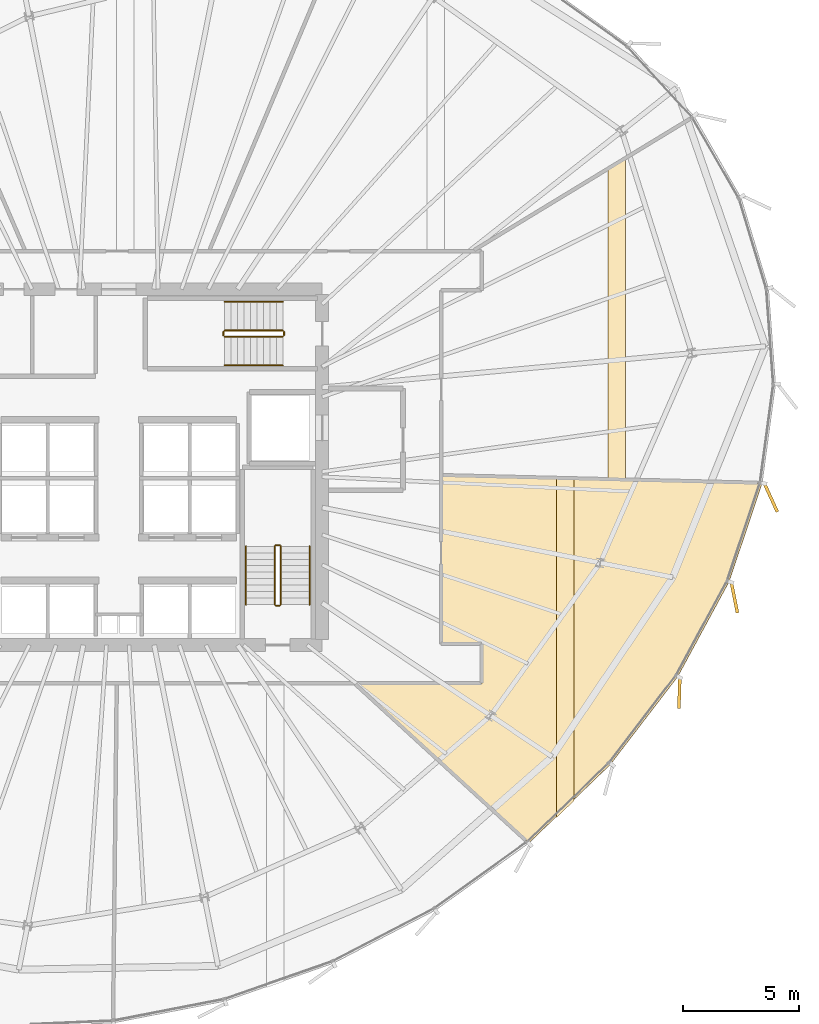
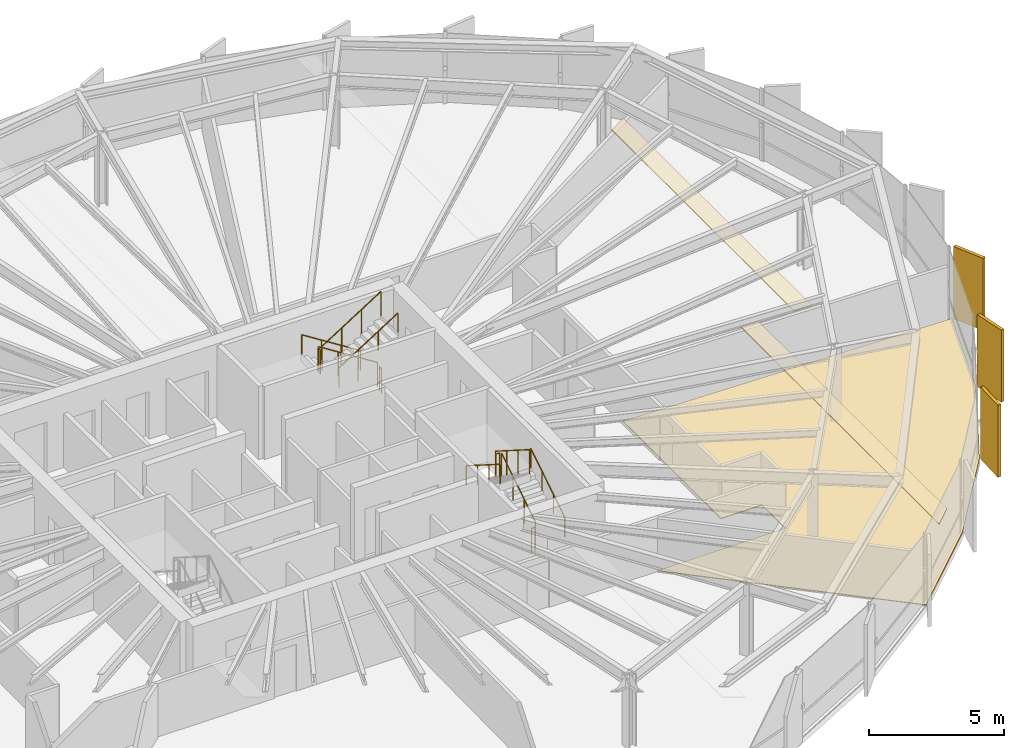
# One storey, part 33 of 34: 12 railings, 6 coverings.
"""IFC4 building model written with IfcOpenShell, lengths in metres."""

from ifc_helpers import new_model, si_unit, direction, frame, origin, origin_2d, place, context, subcontext, project, spatial, polyline, rectangle, circle, outline, extrude, source, transform, mapped, material, layer, layer_set, type_object, element, save


model = new_model("IFC4")

# Units and contexts
model_context = context("Model", 3, precision=1e-05, world=origin(), true_north=direction((0.0, 1.0)))
body_context = subcontext(model_context, "Body", "Model", "MODEL_VIEW")
ifc_project = project(units=[si_unit("LENGTHUNIT", "METRE"), si_unit("AREAUNIT", "SQUARE_METRE"), si_unit("VOLUMEUNIT", "CUBIC_METRE"), si_unit("PLANEANGLEUNIT", "RADIAN"), si_unit("MASSUNIT", "GRAM", prefix="KILO"), si_unit("THERMODYNAMICTEMPERATUREUNIT", "KELVIN")], contexts=[model_context])

# Site, building, storey
site_placement = place(None, origin())
site = spatial("IfcSite", under=ifc_project, at=site_placement, CompositionType="ELEMENT")
building_placement = place(site_placement, origin())
building = spatial("IfcBuilding", under=site, at=building_placement, Name="Kethvar Cultural Tower", CompositionType="ELEMENT")
storey_placement = place(building_placement, frame((0.0, 0.0, 128.800048828125)))
storey = spatial("IfcBuildingStorey", under=building, at=storey_placement, Name="L32", CompositionType="ELEMENT", Elevation=128.800048828125)

# Coverings
ifc_material_1 = material(Name="Acoustic Mineral Fibre Ceiling")
ifc_layer_1 = layer(ifc_material_1, 0.0400390625, Name="Acoustic Mineral Fibre Ceiling")
ifc_layer_set_1 = layer_set([ifc_layer_1], Name="Acoustic Mineral Fibre Ceiling (40 mm)")
covering_type_1 = type_object("IfcCoveringType", Name="CV-ACOUSTIC-CEIL", PredefinedType="CEILING", material=ifc_layer_set_1)
covering_1_placement = place(storey_placement, frame((0.0, 0.0, 2.56005859375)))
element("IfcCovering", 1, at=covering_1_placement, inside=storey, type_object=covering_type_1, Name="L32 Room 03 Acoustic Ceiling Panel", PredefinedType="CEILING", context=body_context, shape_type="SweptSolid", body=[
    extrude(outline(polyline([(65.755859375, 12.64013671875), (65.755859375, 27.344482421875), (66.505859375, 27.32568359375), (66.505859375, 13.363525390625), (65.755859375, 12.64013671875)])), origin(), (0.0, 0.0, 1.0), 0.039794921875),
])
covering_2_placement = place(storey_placement, frame((0.0, 0.0, 2.56005859375)))
element("IfcCovering", 2, at=covering_2_placement, inside=storey, type_object=covering_type_1, Name="L32 Room 04 Acoustic Ceiling Panel", PredefinedType="CEILING", context=body_context, shape_type="SweptSolid", body=[
    extrude(outline(polyline([(67.98193359375, 27.24853515625), (67.98193359375, 40.75732421875), (68.73193359375, 41.21533203125), (68.73193359375, 27.229736328125), (67.98193359375, 27.24853515625)])), origin(), (0.0, 0.0, 1.0), 0.039794921875),
])
ifc_material_2 = material(Name="Honed Warm Limestone", Category="masonry")
ifc_layer_2 = layer(ifc_material_2, 0.030029296875, Name="Honed Warm Limestone", Category="masonry")
ifc_layer_set_2 = layer_set([ifc_layer_2], Name="Honed Warm Limestone (30 mm)")
covering_type_2 = type_object("IfcCoveringType", Name="CV-STONE-FLOOR", PredefinedType="FLOORING", material=ifc_layer_set_2)
covering_3_placement = place(storey_placement, origin())
element("IfcCovering", 3, at=covering_3_placement, inside=storey, type_object=covering_type_2, Name="L32 Room 03 Floor Finish", PredefinedType="FLOORING", context=body_context, shape_type="SweptSolid", body=[
    extrude(outline(polyline([(73.216064453125, 22.847900390625), (70.9990234375, 18.746337890625), (68.07421875, 14.931396484375), (64.553466796875, 11.5361328125), (57.040771484375, 18.429931640625), (62.5185546875, 18.4423828125), (62.51416015625, 20.1640625), (60.77001953125, 20.169921875), (60.77001953125, 27.429443359375), (74.63525390625, 27.081787109375), (73.216064453125, 22.847900390625)])), origin(), (0.0, 0.0, 1.0), 0.030029296875),
])

# Railings
ifc_material_3 = material(Name="Steel S355J2", Category="steel")
railing_type_1 = type_object("IfcRailingType", Name="RL-STAIR-GUARD", PredefinedType="BALUSTRADE", material=ifc_material_3)
railing_1_placement = place(storey_placement, frame((53.81005859375, 21.85009765625, 0.177490234375)))
element("IfcRailing", 4, at=railing_1_placement, inside=storey, type_object=railing_type_1, Name="L32 ST-02 stair guard 1", PredefinedType="BALUSTRADE", context=body_context, shape_type="SweptSolid", body=[
    extrude(circle(Radius=0.02392578125, at=origin_2d()), frame((0.0, 0.0, 1.09619140625), z_axis=(0.0, 0.84460694969, 0.535386869969), x_axis=(-1.0, 0.0, 0.0)), (0.0, 0.0, 1.0), 2.983642578125),
    extrude(circle(Radius=0.02099609375, at=origin_2d()), origin(), (0.0, 0.0, 1.0), 1.072021484375),
    extrude(circle(Radius=0.02099609375, at=origin_2d()), frame((0.0, 0.840087890625, 0.532470703125)), (0.0, 0.0, 1.0), 1.072021484375),
    extrude(circle(Radius=0.02099609375, at=origin_2d()), frame((0.0, 1.679931640625, 1.06494140625)), (0.0, 0.0, 1.0), 1.072021484375),
    extrude(circle(Radius=0.02099609375, at=origin_2d()), frame((0.0, 2.52001953125, 1.597412109375)), (0.0, 0.0, 1.0), 1.072021484375),
])
railing_2_placement = place(storey_placement, frame((53.760009765625, 24.419921875, 1.77490234375)))
element("IfcRailing", 5, at=railing_2_placement, inside=storey, type_object=railing_type_1, Name="L32 ST-02 stair guard 2", PredefinedType="BALUSTRADE", context=body_context, shape_type="SweptSolid", body=[
    extrude(circle(Radius=0.02392578125, at=origin_2d()), frame((0.0, 0.0, 1.09619140625), z_axis=(-1.0, 0.0, 0.0), x_axis=(0.0, -1.0, 0.0)), (0.0, 0.0, 1.0), 0.159912109375),
    extrude(circle(Radius=0.02099609375, at=origin_2d()), origin(), (0.0, 0.0, 1.0), 1.072021484375),
    extrude(circle(Radius=0.02099609375, at=origin_2d()), frame((-0.159912109375, 0.0, 0.0)), (0.0, 0.0, 1.0), 1.072021484375),
])
railing_3_placement = place(storey_placement, frame((53.550048828125, 24.3701171875, 1.952392578125)))
element("IfcRailing", 6, at=railing_3_placement, inside=storey, type_object=railing_type_1, Name="L32 ST-02 stair guard 3", PredefinedType="BALUSTRADE", context=body_context, shape_type="SweptSolid", body=[
    extrude(circle(Radius=0.02392578125, at=origin_2d()), frame((0.0, 0.0, 1.09619140625), z_axis=(0.0, -0.84456994832, 0.535445237532), x_axis=(1.0, 0.0, 0.0)), (0.0, 0.0, 1.0), 2.98388671875),
    extrude(circle(Radius=0.02099609375, at=origin_2d()), origin(), (0.0, 0.0, 1.0), 1.072021484375),
    extrude(circle(Radius=0.02099609375, at=origin_2d()), frame((0.0, -0.840087890625, 0.532470703125)), (0.0, 0.0, 1.0), 1.072021484375),
    extrude(circle(Radius=0.02099609375, at=origin_2d()), frame((0.0, -1.679931640625, 1.065185546875)), (0.0, 0.0, 1.0), 1.072021484375),
    extrude(circle(Radius=0.02099609375, at=origin_2d()), frame((0.0, -2.52001953125, 1.59765625)), (0.0, 0.0, 1.0), 1.072021484375),
])
railing_4_placement = place(storey_placement, frame((53.760009765625, 21.800048828125, 0.0)))
element("IfcRailing", 7, at=railing_4_placement, inside=storey, type_object=railing_type_1, Name="L32 ST-02 stair guard 4", PredefinedType="BALUSTRADE", context=body_context, shape_type="SweptSolid", body=[
    extrude(circle(Radius=0.02392578125, at=origin_2d()), frame((0.0, 0.0, 1.09619140625), z_axis=(-1.0, 0.0, 0.0), x_axis=(0.0, -1.0, 0.0)), (0.0, 0.0, 1.0), 0.159912109375),
    extrude(circle(Radius=0.02099609375, at=origin_2d()), origin(), (0.0, 0.0, 1.0), 1.072021484375),
    extrude(circle(Radius=0.02099609375, at=origin_2d()), frame((-0.159912109375, 0.0, 0.0)), (0.0, 0.0, 1.0), 1.072021484375),
])
railing_5_placement = place(storey_placement, frame((53.89990234375, 33.7099609375, 0.177490234375)))
element("IfcRailing", 8, at=railing_5_placement, inside=storey, type_object=railing_type_1, Name="L32 ST-03 stair guard 1", PredefinedType="BALUSTRADE", context=body_context, shape_type="SweptSolid", body=[
    extrude(circle(Radius=0.02392578125, at=origin_2d()), frame((0.0, 0.0, 1.09619140625), z_axis=(-0.84460694969, 0.0, 0.535386869969), x_axis=(0.0, -1.0, 0.0)), (0.0, 0.0, 1.0), 2.983642578125),
    extrude(circle(Radius=0.02099609375, at=origin_2d()), origin(), (0.0, 0.0, 1.0), 1.072021484375),
    extrude(circle(Radius=0.02099609375, at=origin_2d()), frame((-0.840087890625, 0.0, 0.532470703125)), (0.0, 0.0, 1.0), 1.072021484375),
    extrude(circle(Radius=0.02099609375, at=origin_2d()), frame((-1.679931640625, 0.0, 1.06494140625)), (0.0, 0.0, 1.0), 1.072021484375),
    extrude(circle(Radius=0.02099609375, at=origin_2d()), frame((-2.52001953125, 0.0, 1.597412109375)), (0.0, 0.0, 1.0), 1.072021484375),
])
railing_6_placement = place(storey_placement, frame((51.330078125, 33.659912109375, 1.77490234375)))
element("IfcRailing", 9, at=railing_6_placement, inside=storey, type_object=railing_type_1, Name="L32 ST-03 stair guard 2", PredefinedType="BALUSTRADE", context=body_context, shape_type="SweptSolid", body=[
    extrude(circle(Radius=0.02392578125, at=origin_2d()), frame((0.0, 0.0, 1.09619140625), z_axis=(0.0, -1.0, 0.0), x_axis=(1.0, 0.0, 0.0)), (0.0, 0.0, 1.0), 0.159912109375),
    extrude(circle(Radius=0.02099609375, at=origin_2d()), origin(), (0.0, 0.0, 1.0), 1.072021484375),
    extrude(circle(Radius=0.02099609375, at=origin_2d()), frame((0.0, -0.159912109375, 0.0)), (0.0, 0.0, 1.0), 1.072021484375),
])
railing_7_placement = place(storey_placement, frame((51.3798828125, 33.449951171875, 1.952392578125)))
element("IfcRailing", 10, at=railing_7_placement, inside=storey, type_object=railing_type_1, Name="L32 ST-03 stair guard 3", PredefinedType="BALUSTRADE", context=body_context, shape_type="SweptSolid", body=[
    extrude(circle(Radius=0.02392578125, at=origin_2d()), frame((0.0, 0.0, 1.09619140625), z_axis=(0.84456994832, 0.0, 0.535445237532), x_axis=(0.0, 1.0, 0.0)), (0.0, 0.0, 1.0), 2.98388671875),
    extrude(circle(Radius=0.02099609375, at=origin_2d()), origin(), (0.0, 0.0, 1.0), 1.072021484375),
    extrude(circle(Radius=0.02099609375, at=origin_2d()), frame((0.840087890625, 0.0, 0.532470703125)), (0.0, 0.0, 1.0), 1.072021484375),
    extrude(circle(Radius=0.02099609375, at=origin_2d()), frame((1.679931640625, 0.0, 1.065185546875)), (0.0, 0.0, 1.0), 1.072021484375),
    extrude(circle(Radius=0.02099609375, at=origin_2d()), frame((2.52001953125, 0.0, 1.59765625)), (0.0, 0.0, 1.0), 1.072021484375),
])
railing_8_placement = place(storey_placement, frame((53.949951171875, 33.659912109375, 0.0)))
element("IfcRailing", 11, at=railing_8_placement, inside=storey, type_object=railing_type_1, Name="L32 ST-03 stair guard 4", PredefinedType="BALUSTRADE", context=body_context, shape_type="SweptSolid", body=[
    extrude(circle(Radius=0.02392578125, at=origin_2d()), frame((0.0, 0.0, 1.09619140625), z_axis=(0.0, -1.0, 0.0), x_axis=(1.0, 0.0, 0.0)), (0.0, 0.0, 1.0), 0.159912109375),
    extrude(circle(Radius=0.02099609375, at=origin_2d()), origin(), (0.0, 0.0, 1.0), 1.072021484375),
    extrude(circle(Radius=0.02099609375, at=origin_2d()), frame((0.0, -0.159912109375, 0.0)), (0.0, 0.0, 1.0), 1.072021484375),
])
railing_type_2 = type_object("IfcRailingType", Name="RL-STAIR-HANDRAIL", PredefinedType="HANDRAIL", material=ifc_material_3)
railing_9_placement = place(storey_placement, frame((55.06005859375, 21.85009765625, 0.177490234375)))
element("IfcRailing", 12, at=railing_9_placement, inside=storey, type_object=railing_type_2, Name="L32 ST-02 stair handrail 1", PredefinedType="HANDRAIL", context=body_context, shape_type="SweptSolid", body=[
    extrude(circle(Radius=0.02392578125, at=origin_2d()), frame((0.0, 0.0, 0.8759765625), z_axis=(0.0, 0.84460694969, 0.535386869969), x_axis=(-1.0, 0.0, 0.0)), (0.0, 0.0, 1.0), 2.983642578125),
    extrude(circle(Radius=0.02099609375, at=origin_2d()), origin(), (0.0, 0.0, 1.0), 0.851806640625),
    extrude(circle(Radius=0.02099609375, at=origin_2d()), frame((0.0, 0.840087890625, 0.532470703125)), (0.0, 0.0, 1.0), 0.851806640625),
    extrude(circle(Radius=0.02099609375, at=origin_2d()), frame((0.0, 1.679931640625, 1.06494140625)), (0.0, 0.0, 1.0), 0.851806640625),
    extrude(circle(Radius=0.02099609375, at=origin_2d()), frame((0.0, 2.52001953125, 1.597412109375)), (0.0, 0.0, 1.0), 0.851806640625),
])
railing_10_placement = place(storey_placement, frame((52.300048828125, 24.3701171875, 1.952392578125)))
element("IfcRailing", 13, at=railing_10_placement, inside=storey, type_object=railing_type_2, Name="L32 ST-02 stair handrail 2", PredefinedType="HANDRAIL", context=body_context, shape_type="SweptSolid", body=[
    extrude(circle(Radius=0.02392578125, at=origin_2d()), frame((0.0, 0.0, 0.8759765625), z_axis=(0.0, -0.84456994832, 0.535445237532), x_axis=(1.0, 0.0, 0.0)), (0.0, 0.0, 1.0), 2.98388671875),
    extrude(circle(Radius=0.02099609375, at=origin_2d()), origin(), (0.0, 0.0, 1.0), 0.851806640625),
    extrude(circle(Radius=0.02099609375, at=origin_2d()), frame((0.0, -0.840087890625, 0.532470703125)), (0.0, 0.0, 1.0), 0.851806640625),
    extrude(circle(Radius=0.02099609375, at=origin_2d()), frame((0.0, -1.679931640625, 1.065185546875)), (0.0, 0.0, 1.0), 0.851806640625),
    extrude(circle(Radius=0.02099609375, at=origin_2d()), frame((0.0, -2.52001953125, 1.59765625)), (0.0, 0.0, 1.0), 0.851806640625),
])
railing_11_placement = place(storey_placement, frame((53.89990234375, 34.9599609375, 0.177490234375)))
element("IfcRailing", 14, at=railing_11_placement, inside=storey, type_object=railing_type_2, Name="L32 ST-03 stair handrail 1", PredefinedType="HANDRAIL", context=body_context, shape_type="SweptSolid", body=[
    extrude(circle(Radius=0.02392578125, at=origin_2d()), frame((0.0, 0.0, 0.8759765625), z_axis=(-0.84460694969, 0.0, 0.535386869969), x_axis=(0.0, -1.0, 0.0)), (0.0, 0.0, 1.0), 2.983642578125),
    extrude(circle(Radius=0.02099609375, at=origin_2d()), origin(), (0.0, 0.0, 1.0), 0.851806640625),
    extrude(circle(Radius=0.02099609375, at=origin_2d()), frame((-0.840087890625, 0.0, 0.532470703125)), (0.0, 0.0, 1.0), 0.851806640625),
    extrude(circle(Radius=0.02099609375, at=origin_2d()), frame((-1.679931640625, 0.0, 1.06494140625)), (0.0, 0.0, 1.0), 0.851806640625),
    extrude(circle(Radius=0.02099609375, at=origin_2d()), frame((-2.52001953125, 0.0, 1.597412109375)), (0.0, 0.0, 1.0), 0.851806640625),
])
railing_12_placement = place(storey_placement, frame((51.3798828125, 32.199951171875, 1.952392578125)))
element("IfcRailing", 15, at=railing_12_placement, inside=storey, type_object=railing_type_2, Name="L32 ST-03 stair handrail 2", PredefinedType="HANDRAIL", context=body_context, shape_type="SweptSolid", body=[
    extrude(circle(Radius=0.02392578125, at=origin_2d()), frame((0.0, 0.0, 0.8759765625), z_axis=(0.84456994832, 0.0, 0.535445237532), x_axis=(0.0, 1.0, 0.0)), (0.0, 0.0, 1.0), 2.98388671875),
    extrude(circle(Radius=0.02099609375, at=origin_2d()), origin(), (0.0, 0.0, 1.0), 0.851806640625),
    extrude(circle(Radius=0.02099609375, at=origin_2d()), frame((0.840087890625, 0.0, 0.532470703125)), (0.0, 0.0, 1.0), 0.851806640625),
    extrude(circle(Radius=0.02099609375, at=origin_2d()), frame((1.679931640625, 0.0, 1.065185546875)), (0.0, 0.0, 1.0), 0.851806640625),
    extrude(circle(Radius=0.02099609375, at=origin_2d()), frame((2.52001953125, 0.0, 1.59765625)), (0.0, 0.0, 1.0), 0.851806640625),
])

# Coverings
ifc_material_4 = material(Name="Extruded Architectural Terracotta", Category="masonry")
ifc_layer_3 = layer(ifc_material_4, 0.135009765625, Name="Extruded Architectural Terracotta", Category="masonry")
ifc_layer_set_3 = layer_set([ifc_layer_3], Name="Extruded Architectural Terracotta (135 mm)")
covering_type_3 = type_object("IfcCoveringType", Name="Terracotta Facade Fin FIN-02", PredefinedType="CLADDING", material=ifc_layer_set_3)
shared_shape = source(origin(), body_context, "Body", "SweptSolid", [
    extrude(rectangle(XDim=1.35009765625, YDim=0.135009765625, at=origin_2d()), origin(), (0.0, 0.0, 1.0), 3.260009765625),
])
for number, where, z_axis, x_axis, name in (
    (16, (71.06494140625, 18.022705078125, 0.02001953125), (0.0, 0.0, 1.0), (-0.031585205403, -0.999501062931, 0.0), "L32 Vertical Terracotta Fin 6.2"),
    (17, (73.442626953125, 22.152587890625, 0.02001953125), (0.0, 0.0, 1.0), (0.195946144243, -0.980614658547, 0.0), "L32 Vertical Terracotta Fin 6.3"),
    (18, (75.0224609375, 26.476318359375, 0.02001953125), (0.0, 0.0, 1.0), (0.415328414356, -0.909671538649, 0.0), "L32 Vertical Terracotta Fin 6.4"),
):
    element("IfcCovering", number, at=place(storey_placement, frame(where, z_axis=z_axis, x_axis=x_axis)), inside=storey, type_object=covering_type_3, Name=name, PredefinedType="CLADDING", context=body_context, shape_type="MappedRepresentation", body=[
        mapped(shared_shape, transform((0.0, 0.0, 0.0), scale=1.0)),
    ])

save(model, "model.ifc")
